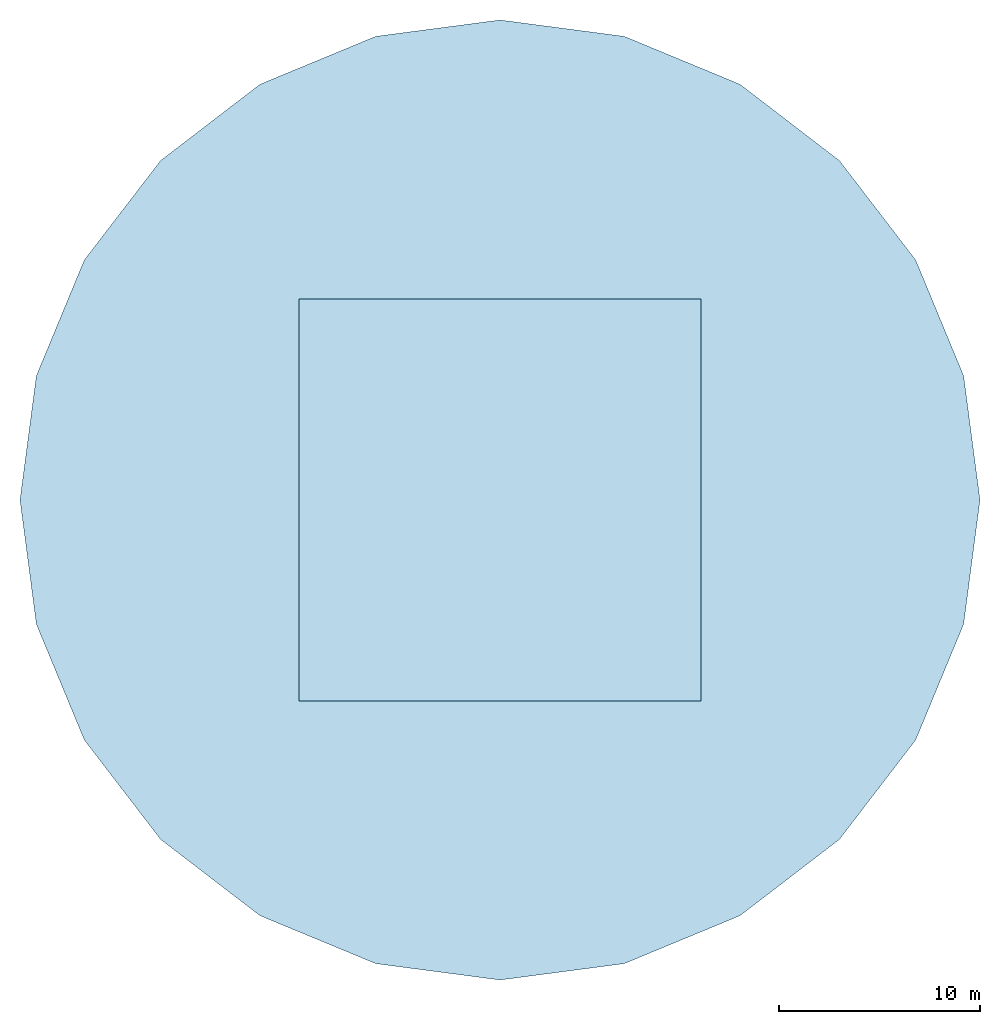
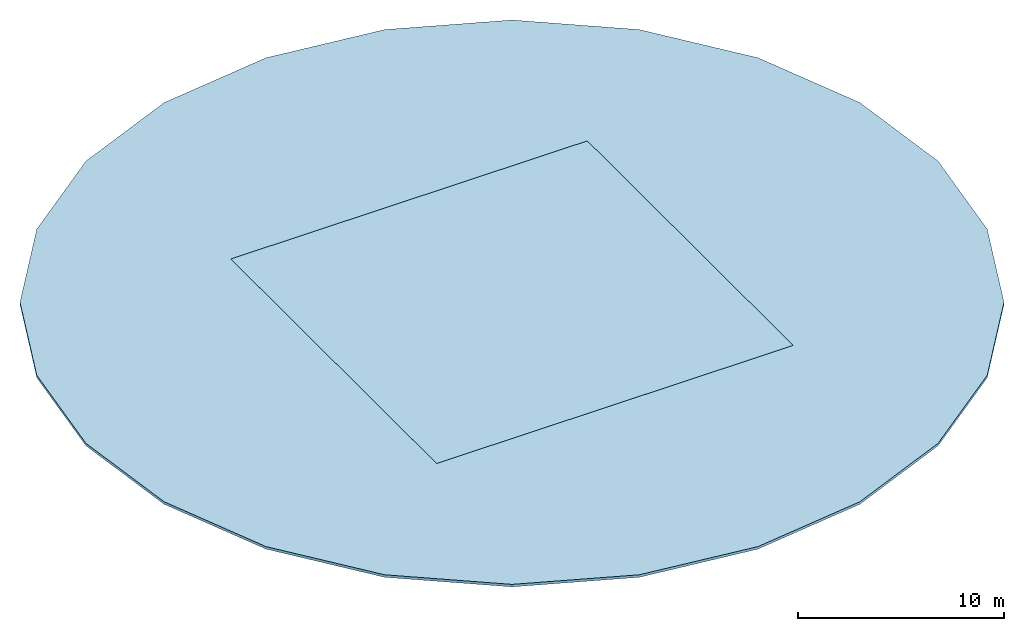
# One storey, part 1 of 2: 2 slabs.
"""IFC4 building model written with IfcOpenShell, lengths in metres."""

from ifc_helpers import new_model, si_unit, direction, frame, origin, place, context, subcontext, project, spatial, polyline, outline, extrude, material, layer, layer_set, type_object, element, save


model = new_model("IFC4")

# Units and contexts
model_context = context("Model", 3, precision=1e-05, world=origin(), true_north=direction((0.0, 1.0)))
body_context = subcontext(model_context, "Body", "Model", "MODEL_VIEW")
ifc_project = project(units=[si_unit("LENGTHUNIT", "METRE"), si_unit("AREAUNIT", "SQUARE_METRE"), si_unit("VOLUMEUNIT", "CUBIC_METRE"), si_unit("PLANEANGLEUNIT", "RADIAN"), si_unit("MASSUNIT", "GRAM", prefix="KILO")], contexts=[model_context])

# Site, building, storey
site_placement = place(None, origin())
site = spatial("IfcSite", under=ifc_project, at=site_placement, CompositionType="ELEMENT")
building_placement = place(site_placement, origin())
building = spatial("IfcBuilding", under=site, at=building_placement, Name="Golbaran Civic Tower", CompositionType="ELEMENT")
storey_placement = place(building_placement, frame((0.0, 0.0, 289.699951171875)))
storey = spatial("IfcBuildingStorey", under=building, at=storey_placement, Name="ROOF", CompositionType="ELEMENT", Elevation=289.699951171875)

# Slabs
ifc_material_1 = material(Name="Concrete C35/45 on steel deck", Category="concrete")
ifc_layer_1 = layer(ifc_material_1, 0.14990234375, Name="Concrete C35/45 on steel deck")
ifc_layer_set_1 = layer_set([ifc_layer_1], Name="Concrete C35/45 on steel deck")
slab_type_1 = type_object("IfcSlabType", Name="CANOPY DECK 150", PredefinedType="ROOF", material=ifc_layer_set_1)
slab_1_placement = place(storey_placement, frame((0.0, 0.0, 0.150146484375)))
element("IfcSlab", 1, at=slab_1_placement, inside=storey, type_object=slab_type_1, Name="Crown canopy", PredefinedType="ROOF", context=body_context, shape_type="SweptSolid", body=[
    extrude(outline(polyline([(20.697998046875, -11.949951171875), (16.89990234375, -16.89990234375), (11.949951171875, -20.697998046875), (6.185791015625, -23.085693359375), (0.0, -23.89990234375), (-6.185791015625, -23.085693359375), (-11.949951171875, -20.697998046875), (-16.89990234375, -16.89990234375), (-20.697998046875, -11.949951171875), (-23.085693359375, -6.185791015625), (-23.89990234375, 0.0), (-23.085693359375, 6.185791015625), (-20.697998046875, 11.949951171875), (-16.89990234375, 16.89990234375), (-11.949951171875, 20.697998046875), (-6.185791015625, 23.085693359375), (0.0, 23.89990234375), (6.185791015625, 23.085693359375), (11.949951171875, 20.697998046875), (16.89990234375, 16.89990234375), (20.697998046875, 11.949951171875), (23.085693359375, 6.185791015625), (23.89990234375, 0.0), (23.085693359375, -6.185791015625), (20.697998046875, -11.949951171875)]), holes=[polyline([(-10.0, 10.0), (-10.0, -10.0), (10.0, -10.0), (10.0, 10.0), (-10.0, 10.0)])]), origin(), (0.0, 0.0, 1.0), 0.14990234375),
])
ifc_material_2 = material(Name="Concrete C35/45", Category="concrete")
ifc_layer_2 = layer(ifc_material_2, 0.300048828125, Name="Concrete C35/45")
ifc_layer_set_2 = layer_set([ifc_layer_2], Name="Concrete C35/45")
slab_type_2 = type_object("IfcSlabType", Name="CORE ROOF SLAB 300", PredefinedType="ROOF", material=ifc_layer_set_2)
slab_2_placement = place(storey_placement, origin())
element("IfcSlab", 2, at=slab_2_placement, inside=storey, type_object=slab_type_2, Name="Core roof", PredefinedType="ROOF", context=body_context, shape_type="SweptSolid", body=[
    extrude(outline(polyline([(-10.0, -10.0), (-10.0, 10.0), (10.0, 10.0), (10.0, -10.0), (-10.0, -10.0)])), origin(), (0.0, 0.0, 1.0), 0.300048828125),
])

save(model, "model.ifc")
